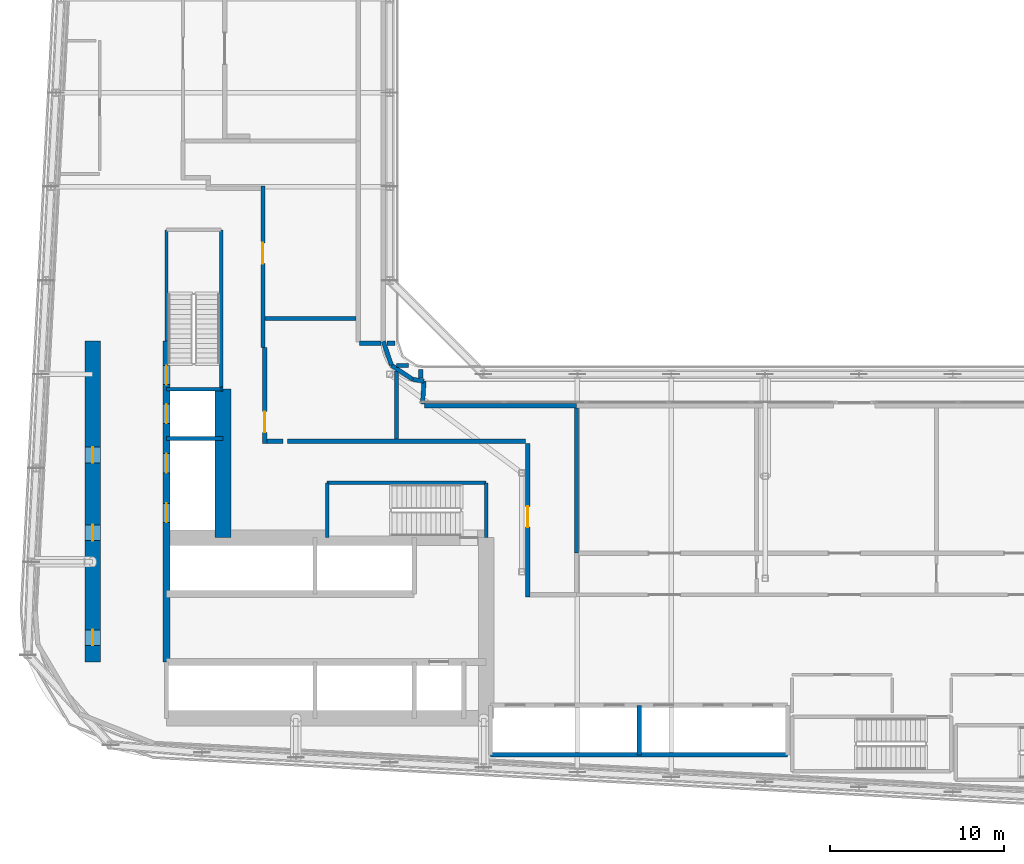
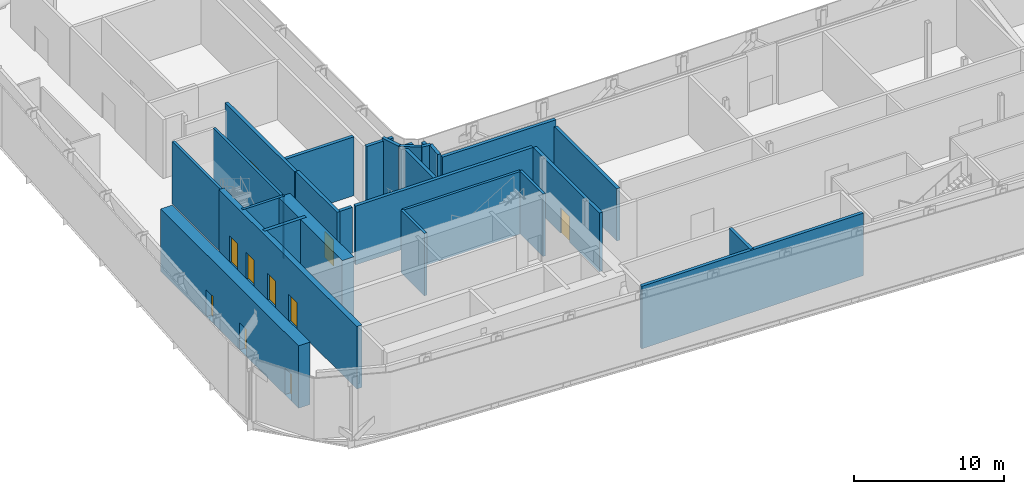
# One storey, part 18 of 30: 30 walls, 10 doors, 10 openings.
"""IFC4 building model written with IfcOpenShell, lengths in metres."""

from ifc_helpers import new_model, si_unit, direction, frame, frame_2d, origin, place, context, subcontext, project, spatial, rectangle, extrude, source, transform, mapped, material, layer, layer_set, type_object, element, fill, save


model = new_model("IFC4")

# Units and contexts
model_context = context("Model", 3, precision=1e-05, world=origin(), true_north=direction((0.0, 1.0)))
body_context = subcontext(model_context, "Body", "Model", "MODEL_VIEW")
ifc_project = project(units=[si_unit("LENGTHUNIT", "METRE"), si_unit("AREAUNIT", "SQUARE_METRE"), si_unit("VOLUMEUNIT", "CUBIC_METRE"), si_unit("PLANEANGLEUNIT", "RADIAN"), si_unit("MASSUNIT", "GRAM", prefix="KILO")], contexts=[model_context])

# Site, building, storey
site_placement = place(None, origin())
site = spatial("IfcSite", under=ifc_project, at=site_placement, CompositionType="ELEMENT")
building_placement = place(site_placement, origin())
building = spatial("IfcBuilding", under=site, at=building_placement, Name="Kheshtan School and Residences Tower", CompositionType="ELEMENT")
storey_placement = place(building_placement, frame((0.0, 0.0, 89.0)))
storey = spatial("IfcBuildingStorey", under=building, at=storey_placement, Name="L20", CompositionType="ELEMENT", Elevation=89.0)

# Wall, openings, doors
ifc_material_1 = material(Name="Concrete C50/60", Category="concrete")
ifc_layer_1 = layer(ifc_material_1, 0.39990234375)
ifc_layer_set_1 = layer_set([ifc_layer_1], Name="Core wall 400 Concrete C50/60")
wall_type_1 = type_object("IfcWallType", Name="Core wall 400 Concrete C50/60", PredefinedType="SHEAR", material=ifc_layer_set_1)
wall_1_placement = place(storey_placement, frame((34.75, 29.050048828125, 0.0), z_axis=(0.0, 0.0, 1.0), x_axis=(0.0, 1.0, 0.0)))
wall_1 = element("IfcWall", 1, at=wall_1_placement, inside=storey, type_object=wall_type_1, Name="Core wall CW-HALL-W1", PredefinedType="SHEAR", context=body_context, shape_type="SweptSolid", body=[
    extrude(rectangle(XDim=18.449951171875, YDim=0.39990234375, at=frame_2d((9.22509765625, 0.0))), origin(), (0.0, 0.0, 1.0), 5.10009765625),
])
opening_1_placement = place(wall_1_placement, frame((8.02490234375, 0.0, 0.0)))
opening_1 = element("IfcOpeningElement", 2, at=opening_1_placement, cuts=wall_1, Name="Opening LD", PredefinedType="OPENING", context=body_context, shape_type="SweptSolid", body=[
    extrude(rectangle(XDim=1.10009765625, YDim=2.199951171875, at=frame_2d((0.550048828125, 1.10009765625))), frame((0.0, 0.2099609375, 0.0), z_axis=(0.0, -1.0, 0.0), x_axis=(1.0, 0.0, 0.0)), (0.0, 0.0, 1.0), 0.419921875),
])
opening_2_placement = place(wall_1_placement, frame((10.875, 0.0, 0.0)))
opening_2 = element("IfcOpeningElement", 3, at=opening_2_placement, cuts=wall_1, Name="Opening LD", PredefinedType="OPENING", context=body_context, shape_type="SweptSolid", body=[
    extrude(rectangle(XDim=1.10009765625, YDim=2.199951171875, at=frame_2d((0.550048828125, 1.10009765625))), frame((0.0, 0.2099609375, 0.0), z_axis=(0.0, -1.0, 0.0), x_axis=(1.0, 0.0, 0.0)), (0.0, 0.0, 1.0), 0.419921875),
])
opening_3_placement = place(wall_1_placement, frame((13.72509765625, 0.0, 0.0)))
opening_3 = element("IfcOpeningElement", 4, at=opening_3_placement, cuts=wall_1, Name="Opening LD", PredefinedType="OPENING", context=body_context, shape_type="SweptSolid", body=[
    extrude(rectangle(XDim=1.10009765625, YDim=2.199951171875, at=frame_2d((0.550048828125, 1.10009765625))), frame((0.0, 0.2099609375, 0.0), z_axis=(0.0, -1.0, 0.0), x_axis=(1.0, 0.0, 0.0)), (0.0, 0.0, 1.0), 0.419921875),
])
opening_4_placement = place(wall_1_placement, frame((15.949951171875, 0.0, 0.0)))
opening_4 = element("IfcOpeningElement", 5, at=opening_4_placement, cuts=wall_1, Name="Opening ST2D", PredefinedType="OPENING", context=body_context, shape_type="SweptSolid", body=[
    extrude(rectangle(XDim=1.10009765625, YDim=2.199951171875, at=frame_2d((0.550048828125, 1.10009765625))), frame((0.0, 0.2099609375, 0.0), z_axis=(0.0, -1.0, 0.0), x_axis=(1.0, 0.0, 0.0)), (0.0, 0.0, 1.0), 0.419921875),
])
ifc_material_2 = material(Name="Stainless steel door leaves", Category="steel")
door_type_1 = type_object("IfcDoorType", Name="Lift landing door 1100", OperationType="SLIDING_TO_LEFT", PredefinedType="DOOR", material=ifc_material_2)
shared_shape_1 = source(origin(), body_context, "Body", "SweptSolid", [
    extrude(rectangle(XDim=1.10009765625, YDim=2.199951171875, at=frame_2d((0.550048828125, 1.10009765625))), frame((0.0, 0.02490234375, 0.0), z_axis=(0.0, -1.0, 0.0), x_axis=(1.0, 0.0, 0.0)), (0.0, 0.0, 1.0), 0.050048828125),
])
door_1_placement = place(opening_1_placement, origin())
door_1 = element("IfcDoor", 6, at=door_1_placement, inside=storey, type_object=door_type_1, Name="Lift SV1 landing door", OperationType="SLIDING_TO_LEFT", OverallHeight=2.199951171875, OverallWidth=1.10009765625, PredefinedType="DOOR", context=body_context, shape_type="MappedRepresentation", body=[
    mapped(shared_shape_1, transform((0.0, 0.0, 0.0), x_axis=(1.0, 0.0, 0.0), y_axis=(0.0, 1.0, 0.0), z_axis=(0.0, 0.0, 1.0), scale=1.0)),
])
fill(opening_1, door_1)
door_2_placement = place(opening_2_placement, origin())
door_2 = element("IfcDoor", 7, at=door_2_placement, inside=storey, type_object=door_type_1, Name="Lift SV2 landing door", OperationType="SLIDING_TO_LEFT", OverallHeight=2.199951171875, OverallWidth=1.10009765625, PredefinedType="DOOR", context=body_context, shape_type="MappedRepresentation", body=[
    mapped(shared_shape_1, transform((0.0, 0.0, 0.0), x_axis=(1.0, 0.0, 0.0), y_axis=(0.0, 1.0, 0.0), z_axis=(0.0, 0.0, 1.0), scale=1.0)),
])
fill(opening_2, door_2)
door_3_placement = place(opening_3_placement, origin())
door_3 = element("IfcDoor", 8, at=door_3_placement, inside=storey, type_object=door_type_1, Name="Lift FFL1 landing door", OperationType="SLIDING_TO_LEFT", OverallHeight=2.199951171875, OverallWidth=1.10009765625, PredefinedType="DOOR", context=body_context, shape_type="MappedRepresentation", body=[
    mapped(shared_shape_1, transform((0.0, 0.0, 0.0), x_axis=(1.0, 0.0, 0.0), y_axis=(0.0, 1.0, 0.0), z_axis=(0.0, 0.0, 1.0), scale=1.0)),
])
fill(opening_3, door_3)
ifc_material_3 = material(Name="Steel door leaf, galvanised", Category="steel")
door_type_2 = type_object("IfcDoorType", Name="Stair door 1100 steel 90 min", OperationType="SINGLE_SWING_LEFT", PredefinedType="DOOR", material=ifc_material_3)
shared_shape_2 = source(origin(), body_context, "Body", "SweptSolid", [
    extrude(rectangle(XDim=1.10009765625, YDim=2.199951171875, at=frame_2d((0.550048828125, 1.10009765625))), frame((0.0, 0.02490234375, 0.0), z_axis=(0.0, -1.0, 0.0), x_axis=(1.0, 0.0, 0.0)), (0.0, 0.0, 1.0), 0.050048828125),
])
door_4_placement = place(opening_4_placement, origin())
door_4 = element("IfcDoor", 9, at=door_4_placement, inside=storey, type_object=door_type_2, Name="Stair ST2 door", OperationType="SINGLE_SWING_RIGHT", OverallHeight=2.199951171875, OverallWidth=1.10009765625, PredefinedType="DOOR", context=body_context, shape_type="MappedRepresentation", body=[
    mapped(shared_shape_2, transform((0.0, 0.0, 0.0), x_axis=(1.0, 0.0, 0.0), y_axis=(0.0, 1.0, 0.0), z_axis=(0.0, 0.0, 1.0), scale=1.0)),
])
fill(opening_4, door_4)

# Wall
ifc_material_4 = material(Name="Concrete C80/95", Category="concrete")
ifc_layer_2 = layer(ifc_material_4, 0.89990234375)
ifc_layer_set_2 = layer_set([ifc_layer_2], Name="Core wall 900 Concrete C80/95")
wall_type_2 = type_object("IfcWallType", Name="Core wall 900 Concrete C80/95", PredefinedType="SHEAR", material=ifc_layer_set_2)
wall_2_placement = place(storey_placement, frame((38.0, 36.199951171875, 0.0), z_axis=(0.0, 0.0, 1.0), x_axis=(0.0, 1.0, 0.0)))
element("IfcWall", 10, at=wall_2_placement, inside=storey, type_object=wall_type_2, Name="Core wall CW-FRONT-W", PredefinedType="SHEAR", context=body_context, shape_type="SweptSolid", body=[
    extrude(rectangle(XDim=8.550048828125, YDim=0.89990234375, at=frame_2d((4.27490234375, 0.0))), origin(), (0.0, 0.0, 1.0), 5.10009765625),
])

# Wall, openings, doors
wall_3_placement = place(storey_placement, frame((30.5, 29.050048828125, 0.0), z_axis=(0.0, 0.0, 1.0), x_axis=(0.0, 1.0, 0.0)))
wall_3 = element("IfcWall", 11, at=wall_3_placement, inside=storey, type_object=wall_type_2, Name="Core wall CW-REAR-W", PredefinedType="SHEAR", context=body_context, shape_type="SweptSolid", body=[
    extrude(rectangle(XDim=18.449951171875, YDim=0.89990234375, at=frame_2d((9.22509765625, 0.0))), origin(), (0.0, 0.0, 1.0), 5.10009765625),
])
opening_5_placement = place(wall_3_placement, frame((0.944091796875, 0.0, 0.0)))
opening_5 = element("IfcOpeningElement", 12, at=opening_5_placement, cuts=wall_3, Name="Opening SR90", PredefinedType="OPENING", context=body_context, shape_type="SweptSolid", body=[
    extrude(rectangle(XDim=0.89990234375, YDim=2.199951171875, at=frame_2d((0.449951171875, 1.10009765625))), frame((0.0, 0.4599609375, 0.0), z_axis=(0.0, -1.0, 0.0), x_axis=(1.0, 0.0, 0.0)), (0.0, 0.0, 1.0), 0.919921875),
])
opening_6_placement = place(wall_3_placement, frame((6.97509765625, 0.0, 0.0)))
opening_6 = element("IfcOpeningElement", 13, at=opening_6_placement, cuts=wall_3, Name="Opening SR90", PredefinedType="OPENING", context=body_context, shape_type="SweptSolid", body=[
    extrude(rectangle(XDim=0.89990234375, YDim=2.199951171875, at=frame_2d((0.449951171875, 1.10009765625))), frame((0.0, 0.4599609375, 0.0), z_axis=(0.0, -1.0, 0.0), x_axis=(1.0, 0.0, 0.0)), (0.0, 0.0, 1.0), 0.919921875),
])
opening_7_placement = place(wall_3_placement, frame((11.449951171875, 0.0, 0.0)))
opening_7 = element("IfcOpeningElement", 14, at=opening_7_placement, cuts=wall_3, Name="Opening SR90", PredefinedType="OPENING", context=body_context, shape_type="SweptSolid", body=[
    extrude(rectangle(XDim=0.89990234375, YDim=2.199951171875, at=frame_2d((0.449951171875, 1.10009765625))), frame((0.0, 0.4599609375, 0.0), z_axis=(0.0, -1.0, 0.0), x_axis=(1.0, 0.0, 0.0)), (0.0, 0.0, 1.0), 0.919921875),
])
door_type_3 = type_object("IfcDoorType", Name="Service room door 900 steel 90 min", OperationType="SINGLE_SWING_LEFT", PredefinedType="DOOR", material=ifc_material_3)
shared_shape_3 = source(origin(), body_context, "Body", "SweptSolid", [
    extrude(rectangle(XDim=0.89990234375, YDim=2.199951171875, at=frame_2d((0.449951171875, 1.10009765625))), frame((0.0, 0.02490234375, 0.0), z_axis=(0.0, -1.0, 0.0), x_axis=(1.0, 0.0, 0.0)), (0.0, 0.0, 1.0), 0.050048828125),
])
door_5_placement = place(opening_5_placement, origin())
door_5 = element("IfcDoor", 15, at=door_5_placement, inside=storey, type_object=door_type_3, Name="Service room door", OperationType="SINGLE_SWING_LEFT", OverallHeight=2.199951171875, OverallWidth=0.89990234375, PredefinedType="DOOR", context=body_context, shape_type="MappedRepresentation", body=[
    mapped(shared_shape_3, transform((0.0, 0.0, 0.0), x_axis=(1.0, 0.0, 0.0), y_axis=(0.0, 1.0, 0.0), z_axis=(0.0, 0.0, 1.0), scale=1.0)),
])
fill(opening_5, door_5)
door_6_placement = place(opening_6_placement, origin())
door_6 = element("IfcDoor", 16, at=door_6_placement, inside=storey, type_object=door_type_3, Name="Service room door", OperationType="SINGLE_SWING_RIGHT", OverallHeight=2.199951171875, OverallWidth=0.89990234375, PredefinedType="DOOR", context=body_context, shape_type="MappedRepresentation", body=[
    mapped(shared_shape_3, transform((0.0, 0.0, 0.0), x_axis=(1.0, 0.0, 0.0), y_axis=(0.0, 1.0, 0.0), z_axis=(0.0, 0.0, 1.0), scale=1.0)),
])
fill(opening_6, door_6)
door_7_placement = place(opening_7_placement, origin())
door_7 = element("IfcDoor", 17, at=door_7_placement, inside=storey, type_object=door_type_3, Name="Service room door", OperationType="SINGLE_SWING_RIGHT", OverallHeight=2.199951171875, OverallWidth=0.89990234375, PredefinedType="DOOR", context=body_context, shape_type="MappedRepresentation", body=[
    mapped(shared_shape_3, transform((0.0, 0.0, 0.0), x_axis=(1.0, 0.0, 0.0), y_axis=(0.0, 1.0, 0.0), z_axis=(0.0, 0.0, 1.0), scale=1.0)),
])
fill(opening_7, door_7)

# Walls
ifc_material_5 = material(Name="Concrete C40/50 with ceramic cladding and mineral wool insulation", Category="concrete")
ifc_layer_3 = layer(ifc_material_5, 0.25)
ifc_layer_set_3 = layer_set([ifc_layer_3], Name="External wall 250 ceramic clad")
wall_type_3 = type_object("IfcWallType", Name="External wall 250 ceramic clad", PredefinedType="SOLIDWALL", material=ifc_layer_set_3)
wall_4_placement = place(storey_placement, frame((47.22509765625, 47.489990234375, 0.0), z_axis=(0.0, 0.0, 1.0), x_axis=(0.326317748334, -0.945260137276, 0.0)))
element("IfcWall", 18, at=wall_4_placement, inside=storey, type_object=wall_type_3, Name="External wall L20 1", PredefinedType="SOLIDWALL", context=body_context, shape_type="SweptSolid", body=[
    extrude(rectangle(XDim=1.44921875, YDim=0.25, at=frame_2d((0.724609375, 0.0))), origin(), (0.0, 0.0, 1.0), 4.949951171875),
])
wall_5_placement = place(storey_placement, frame((47.697998046875, 46.1201171875, 0.0), z_axis=(0.0, 0.0, 1.0), x_axis=(0.831413506611, -0.555654191943, 0.0)))
element("IfcWall", 19, at=wall_5_placement, inside=storey, type_object=wall_type_3, Name="External wall L20 2", PredefinedType="SOLIDWALL", context=body_context, shape_type="SweptSolid", body=[
    extrude(rectangle(XDim=1.475830078125, YDim=0.25, at=frame_2d((0.73779296875, 0.0))), origin(), (0.0, 0.0, 1.0), 4.949951171875),
])
wall_6_placement = place(storey_placement, frame((48.925048828125, 45.300048828125, 0.0), z_axis=(0.0, 0.0, 1.0), x_axis=(0.990444114284, -0.137914671008, 0.0)))
element("IfcWall", 20, at=wall_6_placement, inside=storey, type_object=wall_type_3, Name="External wall L20 3", PredefinedType="SOLIDWALL", context=body_context, shape_type="SweptSolid", body=[
    extrude(rectangle(XDim=0.6533203125, YDim=0.25, at=frame_2d((0.32666015625, 0.0))), origin(), (0.0, 0.0, 1.0), 4.949951171875),
])
wall_7_placement = place(storey_placement, frame((49.572021484375, 45.2099609375, 0.0), z_axis=(0.0, 0.0, 1.0), x_axis=(-0.065312093682, -0.997864885853, 0.0)))
element("IfcWall", 21, at=wall_7_placement, inside=storey, type_object=wall_type_3, Name="External wall L20 4", PredefinedType="SOLIDWALL", context=body_context, shape_type="SweptSolid", body=[
    extrude(rectangle(XDim=1.31591796875, YDim=0.25, at=frame_2d((0.657958984375, 0.0))), origin(), (0.0, 0.0, 1.0), 4.949951171875),
])

# Wall, opening, door
ifc_material_6 = material(Name="Fire-board and steel stud wall with mineral wool", Category="steel")
ifc_layer_4 = layer(ifc_material_6, 0.25)
ifc_layer_set_4 = layer_set([ifc_layer_4], Name="Plant room wall 250")
wall_type_4 = type_object("IfcWallType", Name="Plant room wall 250", PredefinedType="PARTITIONING", material=ifc_layer_set_4)
wall_8_placement = place(storey_placement, frame((40.300048828125, 47.14990234375, 0.0), z_axis=(0.0, 0.0, 1.0), x_axis=(0.0, 1.0, 0.0)))
wall_8 = element("IfcWall", 22, at=wall_8_placement, inside=storey, type_object=wall_type_4, Name="Partition L20-024", PredefinedType="PARTITIONING", context=body_context, shape_type="SweptSolid", body=[
    extrude(rectangle(XDim=9.28515625, YDim=0.25, at=frame_2d((4.642578125, 0.0))), origin(), (0.0, 0.0, 1.0), 4.800048828125),
])
opening_8_placement = place(wall_8_placement, frame((4.81201171875, 0.0, 0.0)))
opening_8 = element("IfcOpeningElement", 23, at=opening_8_placement, cuts=wall_8, Name="Opening D20-005", PredefinedType="OPENING", context=body_context, shape_type="SweptSolid", body=[
    extrude(rectangle(XDim=1.199951171875, YDim=2.10009765625, at=frame_2d((0.60009765625, 1.050048828125))), frame((0.0, 0.135009765625, 0.0), z_axis=(0.0, -1.0, 0.0), x_axis=(1.0, 0.0, 0.0)), (0.0, 0.0, 1.0), 0.27001953125),
])
ifc_material_7 = material(Name="Steel-framed fire-resisting door leaf", Category="steel")
door_type_4 = type_object("IfcDoorType", Name="Fire door FD120 1200 x 2100", OperationType="SINGLE_SWING_LEFT", PredefinedType="DOOR", material=ifc_material_7)
shared_shape_4 = source(origin(), body_context, "Body", "SweptSolid", [
    extrude(rectangle(XDim=1.199951171875, YDim=2.10009765625, at=frame_2d((0.60009765625, 1.050048828125))), frame((0.0, 0.02490234375, 0.0), z_axis=(0.0, -1.0, 0.0), x_axis=(1.0, 0.0, 0.0)), (0.0, 0.0, 1.0), 0.050048828125),
])
door_8_placement = place(opening_8_placement, origin())
door_8 = element("IfcDoor", 24, at=door_8_placement, inside=storey, type_object=door_type_4, Name="Door D20-005", OperationType="SINGLE_SWING_LEFT", OverallHeight=2.10009765625, OverallWidth=1.199951171875, PredefinedType="DOOR", context=body_context, shape_type="MappedRepresentation", body=[
    mapped(shared_shape_4, transform((0.0, 0.0, 0.0), x_axis=(1.0, 0.0, 0.0), y_axis=(0.0, 1.0, 0.0), z_axis=(0.0, 0.0, 1.0), scale=1.0)),
])
fill(opening_8, door_8)

wall_9_placement = place(storey_placement, frame((40.39990234375, 41.623046875, 0.0), z_axis=(0.0, 0.0, 1.0), x_axis=(0.0, 1.0, 0.0)))
wall_9 = element("IfcWall", 25, at=wall_9_placement, inside=storey, type_object=wall_type_4, Name="Partition L20-025", PredefinedType="PARTITIONING", context=body_context, shape_type="SweptSolid", body=[
    extrude(rectangle(XDim=5.52685546875, YDim=0.25, at=frame_2d((2.763427734375, 0.0))), origin(), (0.0, 0.0, 1.0), 4.800048828125),
])
opening_9_placement = place(wall_9_placement, frame((0.626953125, 0.0, 0.0)))
opening_9 = element("IfcOpeningElement", 26, at=opening_9_placement, cuts=wall_9, Name="Opening D20-006", PredefinedType="OPENING", context=body_context, shape_type="SweptSolid", body=[
    extrude(rectangle(XDim=1.199951171875, YDim=2.10009765625, at=frame_2d((0.60009765625, 1.050048828125))), frame((0.0, 0.135009765625, 0.0), z_axis=(0.0, -1.0, 0.0), x_axis=(1.0, 0.0, 0.0)), (0.0, 0.0, 1.0), 0.27001953125),
])
door_9_placement = place(opening_9_placement, origin())
door_9 = element("IfcDoor", 27, at=door_9_placement, inside=storey, type_object=door_type_4, Name="Door D20-006", OperationType="SINGLE_SWING_RIGHT", OverallHeight=2.10009765625, OverallWidth=1.199951171875, PredefinedType="DOOR", context=body_context, shape_type="MappedRepresentation", body=[
    mapped(shared_shape_4, transform((0.0, 0.0, 0.0), x_axis=(1.0, 0.0, 0.0), y_axis=(0.0, 1.0, 0.0), z_axis=(0.0, 0.0, 1.0), scale=1.0)),
])
fill(opening_9, door_9)

# Walls
wall_10_placement = place(storey_placement, frame((40.425048828125, 48.81201171875, 0.0), z_axis=(0.0, 0.0, 1.0), x_axis=(1.0, 0.0, 0.0)))
element("IfcWall", 28, at=wall_10_placement, inside=storey, type_object=wall_type_4, Name="Partition L20-026", PredefinedType="PARTITIONING", context=body_context, shape_type="SweptSolid", body=[
    extrude(rectangle(XDim=5.22998046875, YDim=0.25, at=frame_2d((2.614990234375, 0.0))), origin(), (0.0, 0.0, 1.0), 4.800048828125),
])
wall_11_placement = place(storey_placement, frame((40.52490234375, 41.748046875, 0.0), z_axis=(0.0, 0.0, 1.0), x_axis=(1.0, 0.0, 0.0)))
element("IfcWall", 29, at=wall_11_placement, inside=storey, type_object=wall_type_4, Name="Partition L20-027", PredefinedType="PARTITIONING", context=body_context, shape_type="SweptSolid", body=[
    extrude(rectangle(XDim=0.940185546875, YDim=0.25, at=frame_2d((0.47021484375, 0.0))), origin(), (0.0, 0.0, 1.0), 4.800048828125),
])
wall_12_placement = place(storey_placement, frame((41.715087890625, 41.74609375, 0.0), z_axis=(0.0, 0.0, 1.0), x_axis=(0.999999989853, 0.000142460288, 0.0)))
element("IfcWall", 30, at=wall_12_placement, inside=storey, type_object=wall_type_4, Name="Partition L20-028", PredefinedType="PARTITIONING", context=body_context, shape_type="SweptSolid", body=[
    extrude(rectangle(XDim=13.7099609375, YDim=0.25, at=frame_2d((6.85498046875, 0.0))), origin(), (0.0, 0.0, 1.0), 4.800048828125),
])
wall_13_placement = place(storey_placement, frame((45.85107421875, 47.3798828125, 0.0), z_axis=(0.0, 0.0, 1.0), x_axis=(1.0, 0.0, 0.0)))
element("IfcWall", 31, at=wall_13_placement, inside=storey, type_object=wall_type_4, Name="Partition L20-032", PredefinedType="PARTITIONING", context=body_context, shape_type="SweptSolid", body=[
    extrude(rectangle(XDim=1.25, YDim=0.25, at=frame_2d((0.625, 0.0))), origin(), (0.0, 0.0, 1.0), 4.800048828125),
])
wall_14_placement = place(storey_placement, frame((47.43701171875, 47.3798828125, 0.0), z_axis=(0.0, 0.0, 1.0), x_axis=(1.0, 0.0, 0.0)))
element("IfcWall", 32, at=wall_14_placement, inside=storey, type_object=wall_type_4, Name="Partition L20-033", PredefinedType="PARTITIONING", context=body_context, shape_type="SweptSolid", body=[
    extrude(rectangle(XDim=0.449951171875, YDim=0.25, at=frame_2d((0.22509765625, 0.0))), origin(), (0.0, 0.0, 1.0), 4.800048828125),
])
wall_15_placement = place(storey_placement, frame((47.989990234375, 41.875, 0.0), z_axis=(0.0, 0.0, 1.0), x_axis=(0.0, 1.0, 0.0)))
element("IfcWall", 33, at=wall_15_placement, inside=storey, type_object=wall_type_4, Name="Partition L20-034", PredefinedType="PARTITIONING", context=body_context, shape_type="SweptSolid", body=[
    extrude(rectangle(XDim=3.90087890625, YDim=0.25, at=frame_2d((1.950439453125, 0.0))), origin(), (0.0, 0.0, 1.0), 4.800048828125),
])
wall_16_placement = place(storey_placement, frame((47.989990234375, 46.10009765625, 0.0), z_axis=(0.0, 0.0, 1.0), x_axis=(1.0, 0.0, 0.0)))
element("IfcWall", 34, at=wall_16_placement, inside=storey, type_object=wall_type_4, Name="Partition L20-035", PredefinedType="PARTITIONING", context=body_context, shape_type="SweptSolid", body=[
    extrude(rectangle(XDim=0.694091796875, YDim=0.25, at=frame_2d((0.34716796875, 0.0))), origin(), (0.0, 0.0, 1.0), 4.800048828125),
])
wall_17_placement = place(storey_placement, frame((49.3798828125, 45.37890625, 0.0), z_axis=(0.0, 0.0, 1.0), x_axis=(0.0, 1.0, 0.0)))
element("IfcWall", 35, at=wall_17_placement, inside=storey, type_object=wall_type_4, Name="Partition L20-036", PredefinedType="PARTITIONING", context=body_context, shape_type="SweptSolid", body=[
    extrude(rectangle(XDim=0.508056640625, YDim=0.25, at=frame_2d((0.25390625, 0.0))), origin(), (0.0, 0.0, 1.0), 4.800048828125),
])
wall_18_placement = place(storey_placement, frame((49.611083984375, 43.780029296875, 0.0), z_axis=(0.0, 0.0, 1.0), x_axis=(1.0, 0.0, 0.0)))
element("IfcWall", 36, at=wall_18_placement, inside=storey, type_object=wall_type_4, Name="Partition L20-037", PredefinedType="PARTITIONING", context=body_context, shape_type="SweptSolid", body=[
    extrude(rectangle(XDim=8.73681640625, YDim=0.25, at=frame_2d((4.368408203125, 0.0))), origin(), (0.0, 0.0, 1.0), 4.800048828125),
])

# Wall, opening, door
wall_19_placement = place(storey_placement, frame((55.550048828125, 32.77490234375, 0.0), z_axis=(0.0, 0.0, 1.0), x_axis=(0.0, 1.0, 0.0)))
wall_19 = element("IfcWall", 37, at=wall_19_placement, inside=storey, type_object=wall_type_4, Name="Partition L20-038", PredefinedType="PARTITIONING", context=body_context, shape_type="SweptSolid", body=[
    extrude(rectangle(XDim=8.85009765625, YDim=0.25, at=frame_2d((4.425048828125, 0.0))), origin(), (0.0, 0.0, 1.0), 4.800048828125),
])
opening_10_placement = place(wall_19_placement, frame((4.02490234375, 0.0, 0.0)))
opening_10 = element("IfcOpeningElement", 38, at=opening_10_placement, cuts=wall_19, Name="Opening D20-007", PredefinedType="OPENING", context=body_context, shape_type="SweptSolid", body=[
    extrude(rectangle(XDim=1.199951171875, YDim=2.10009765625, at=frame_2d((0.60009765625, 1.050048828125))), frame((0.0, 0.135009765625, 0.0), z_axis=(0.0, -1.0, 0.0), x_axis=(1.0, 0.0, 0.0)), (0.0, 0.0, 1.0), 0.27001953125),
])
door_10_placement = place(opening_10_placement, origin())
door_10 = element("IfcDoor", 39, at=door_10_placement, inside=storey, type_object=door_type_4, Name="Door D20-007", OperationType="SINGLE_SWING_LEFT", OverallHeight=2.10009765625, OverallWidth=1.199951171875, PredefinedType="DOOR", context=body_context, shape_type="MappedRepresentation", body=[
    mapped(shared_shape_4, transform((0.0, 0.0, 0.0), x_axis=(1.0, 0.0, 0.0), y_axis=(0.0, 1.0, 0.0), z_axis=(0.0, 0.0, 1.0), scale=1.0)),
])
fill(opening_10, door_10)

# Walls
ifc_layer_5 = layer(ifc_material_6, 0.25)
ifc_layer_set_5 = layer_set([ifc_layer_5], Name="Refuge compartment wall 250")
wall_type_5 = type_object("IfcWallType", Name="Refuge compartment wall 250", PredefinedType="PARTITIONING", material=ifc_layer_set_5)
wall_20_placement = place(storey_placement, frame((58.347900390625, 35.300048828125, 0.0), z_axis=(0.0, 0.0, 1.0), x_axis=(0.0, 1.0, 0.0)))
element("IfcWall", 40, at=wall_20_placement, inside=storey, type_object=wall_type_5, Name="Partition L20-042", PredefinedType="PARTITIONING", context=body_context, shape_type="SweptSolid", body=[
    extrude(rectangle(XDim=8.35498046875, YDim=0.25, at=frame_2d((4.177490234375, 0.0))), origin(), (0.0, 0.0, 1.0), 4.27197265625),
])
ifc_material_8 = material(Name="Fire-board shaft wall system")
ifc_layer_6 = layer(ifc_material_8, 0.25)
ifc_layer_set_6 = layer_set([ifc_layer_6], Name="Shaft lining wall 250")
wall_type_6 = type_object("IfcWallType", Name="Shaft lining wall 250", PredefinedType="PARTITIONING", material=ifc_layer_set_6)
wall_21_placement = place(storey_placement, frame((61.949951171875, 23.699951171875, 0.0), z_axis=(0.0, 0.0, 1.0), x_axis=(0.0, 1.0, 0.0)))
element("IfcWall", 41, at=wall_21_placement, inside=storey, type_object=wall_type_6, Name="Shaft lining wall", PredefinedType="PARTITIONING", context=body_context, shape_type="SweptSolid", body=[
    extrude(rectangle(XDim=2.85009765625, YDim=0.25, at=frame_2d((1.425048828125, 0.0))), origin(), (0.0, 0.0, 1.0), 5.10009765625),
])
wall_22_placement = place(storey_placement, frame((53.39990234375, 23.699951171875, 0.0), z_axis=(0.0, 0.0, 1.0), x_axis=(1.0, 0.0, 0.0)))
element("IfcWall", 42, at=wall_22_placement, inside=storey, type_object=wall_type_6, Name="Shaft lining wall", PredefinedType="PARTITIONING", context=body_context, shape_type="SweptSolid", body=[
    extrude(rectangle(XDim=17.10009765625, YDim=0.25, at=frame_2d((8.550048828125, 0.0))), origin(), (0.0, 0.0, 1.0), 5.10009765625),
])
wall_23_placement = place(storey_placement, frame((34.75, 41.89990234375, 0.0), z_axis=(0.0, 0.0, 1.0), x_axis=(1.0, 0.0, 0.0)))
element("IfcWall", 43, at=wall_23_placement, inside=storey, type_object=wall_type_6, Name="Shaft lining wall", PredefinedType="PARTITIONING", context=body_context, shape_type="SweptSolid", body=[
    extrude(rectangle(XDim=3.25, YDim=0.25, at=frame_2d((1.625, 0.0))), origin(), (0.0, 0.0, 1.0), 5.10009765625),
])
wall_24_placement = place(storey_placement, frame((37.89990234375, 44.75, 0.0), z_axis=(0.0, 0.0, 1.0), x_axis=(1.0, 0.0, 0.0)))
element("IfcWall", 44, at=wall_24_placement, inside=storey, type_object=wall_type_6, Name="Shaft lining wall", PredefinedType="PARTITIONING", context=body_context, shape_type="SweptSolid", body=[
    extrude(rectangle(XDim=0.10009765625, YDim=0.25, at=frame_2d((0.050048828125, 0.0))), origin(), (0.0, 0.0, 1.0), 5.10009765625),
])
ifc_material_9 = material(Name="Concrete C40/50", Category="concrete")
ifc_layer_7 = layer(ifc_material_9, 0.199951171875)
ifc_layer_set_7 = layer_set([ifc_layer_7], Name="Stair enclosure wall 200 Concrete C40/50")
wall_type_7 = type_object("IfcWallType", Name="Stair enclosure wall 200 Concrete C40/50", PredefinedType="SHEAR", material=ifc_layer_set_7)
wall_25_placement = place(storey_placement, frame((43.989990234375, 39.35009765625, 0.0), z_axis=(0.0, 0.0, 1.0), x_axis=(1.0, 0.0, 0.0)))
element("IfcWall", 45, at=wall_25_placement, inside=storey, type_object=wall_type_7, Name="Stair enclosure wall ST1", PredefinedType="SHEAR", context=body_context, shape_type="SweptSolid", body=[
    extrude(rectangle(XDim=9.159912109375, YDim=0.199951171875, at=frame_2d((4.580078125, 0.0))), origin(), (0.0, 0.0, 1.0), 5.10009765625),
])
for number, where, z_axis, x_axis, name in (
    (46, (43.989990234375, 36.199951171875, 0.0), (0.0, 0.0, 1.0), (0.0, 1.0, 0.0), "Stair enclosure wall ST1"),
    (47, (53.14990234375, 36.199951171875, 0.0), (0.0, 0.0, 1.0), (0.0, 1.0, 0.0), "Stair enclosure wall ST1"),
):
    element("IfcWall", number, at=place(storey_placement, frame(where, z_axis=z_axis, x_axis=x_axis)), inside=storey, type_object=wall_type_7, Name=name, PredefinedType="SHEAR", context=body_context, shape_type="SweptSolid", body=[
        extrude(rectangle(XDim=3.150146484375, YDim=0.199951171875, at=frame_2d((1.5751953125, 0.0))), origin(), (0.0, 0.0, 1.0), 5.10009765625),
    ])
wall_26_placement = place(storey_placement, frame((34.75, 44.75, 0.0), z_axis=(0.0, 0.0, 1.0), x_axis=(1.0, 0.0, 0.0)))
element("IfcWall", 48, at=wall_26_placement, inside=storey, type_object=wall_type_7, Name="Stair enclosure wall ST2", PredefinedType="SHEAR", context=body_context, shape_type="SweptSolid", body=[
    extrude(rectangle(XDim=3.14990234375, YDim=0.199951171875, at=frame_2d((1.574951171875, 0.0))), origin(), (0.0, 0.0, 1.0), 5.10009765625),
])
wall_27_placement = place(storey_placement, frame((34.75, 47.5, 0.0), z_axis=(0.0, 0.0, 1.0), x_axis=(0.0, 1.0, 0.0)))
element("IfcWall", 49, at=wall_27_placement, inside=storey, type_object=wall_type_7, Name="Stair enclosure wall ST2", PredefinedType="SHEAR", context=body_context, shape_type="SweptSolid", body=[
    extrude(rectangle(XDim=6.409912109375, YDim=0.199951171875, at=frame_2d((3.205078125, 0.0))), origin(), (0.0, 0.0, 1.0), 5.10009765625),
])
wall_28_placement = place(storey_placement, frame((37.89990234375, 44.75, 0.0), z_axis=(0.0, 0.0, 1.0), x_axis=(0.0, 1.0, 0.0)))
element("IfcWall", 50, at=wall_28_placement, inside=storey, type_object=wall_type_7, Name="Stair enclosure wall ST2", PredefinedType="SHEAR", context=body_context, shape_type="SweptSolid", body=[
    extrude(rectangle(XDim=9.159912109375, YDim=0.199951171875, at=frame_2d((4.580078125, 0.0))), origin(), (0.0, 0.0, 1.0), 5.10009765625),
])

save(model, "model.ifc")
